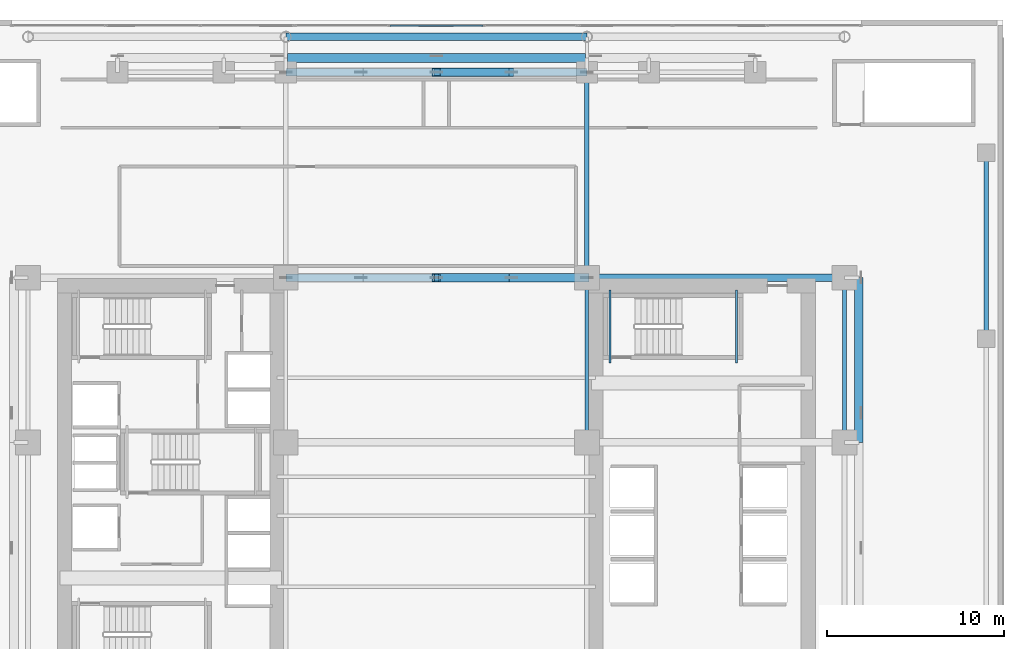
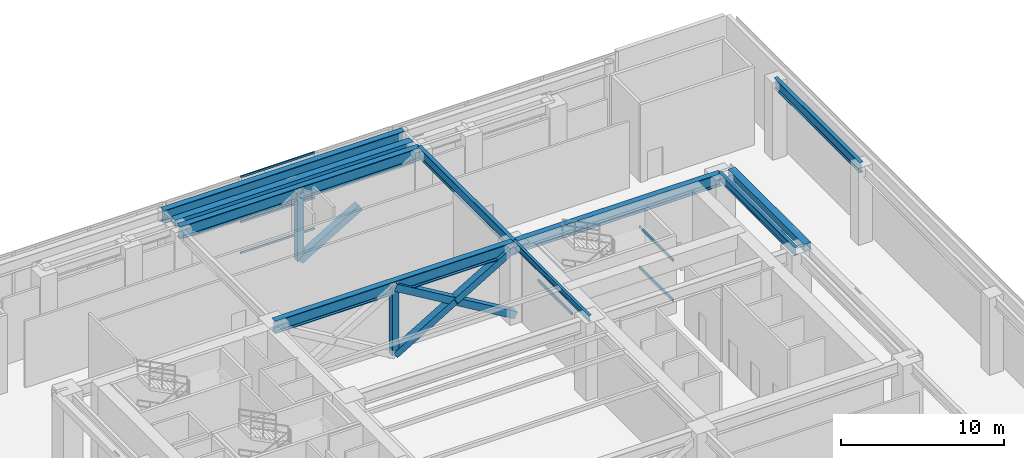
# One storey, part 14 of 29: 13 beams, 9 members, 1 element without a shape of its own.
"""IFC4 building model written with IfcOpenShell, lengths in metres."""

from ifc_helpers import new_model, si_unit, direction, frame, origin, origin_2d, place, context, subcontext, project, spatial, hollow_rectangle, i_section, extrude, source, transform, mapped, material, layer, layer_set, material_profile, profile_set, type_object, element, aggregate, save


model = new_model("IFC4")

# Units and contexts
model_context = context("Model", 3, precision=1e-05, world=origin(), true_north=direction((0.0, 1.0)))
body_context = subcontext(model_context, "Body", "Model", "MODEL_VIEW")
ifc_project = project(units=[si_unit("LENGTHUNIT", "METRE"), si_unit("AREAUNIT", "SQUARE_METRE"), si_unit("VOLUMEUNIT", "CUBIC_METRE"), si_unit("PLANEANGLEUNIT", "RADIAN"), si_unit("MASSUNIT", "GRAM", prefix="KILO")], contexts=[model_context])

# Site, building, storey
site_placement = place(None, origin())
site = spatial("IfcSite", under=ifc_project, at=site_placement, CompositionType="ELEMENT")
building_placement = place(site_placement, origin())
building = spatial("IfcBuilding", under=site, at=building_placement, Name="Ocotamira Hotel", CompositionType="ELEMENT")
storey_placement = place(building_placement, frame((0.0, 0.0, 28.800048828125)))
storey = spatial("IfcBuildingStorey", under=building, at=storey_placement, Name="L06", CompositionType="ELEMENT", Elevation=28.800048828125)

# Beams
ifc_material_1 = material(Name="Steel ASTM A500 Grade C", Category="steel")
ifc_material_profile_1 = material_profile(ifc_material_1, hollow_rectangle(XDim=0.10009765625, YDim=0.199951171875, WallThickness=0.008056640625, at=origin_2d()), Name="HSS200X100X8")
ifc_profile_set_1 = profile_set([ifc_material_profile_1], Name="Steel ASTM A500 Grade C")
beam_type_1 = type_object("IfcBeamType", Name="BM-STLDG-HSS200", PredefinedType="BEAM", material=ifc_profile_set_1)
shared_shape_1 = source(origin(), body_context, "Body", "SweptSolid", [
    extrude(hollow_rectangle(XDim=0.10009765625, YDim=0.199951171875, WallThickness=0.008056640625, at=origin_2d()), origin(), (0.0, 0.0, 1.0), 4.1201171875),
])
for number, where, z_axis, x_axis, name in (
    (1, (48.949951171875, 32.6298828125, 1.199951171875), (0.0, 1.0, 0.0), (-1.0, 0.0, 0.0), "L06 Stair ST-4 Landing Bearer 1"),
    (2, (41.81005859375, 32.6298828125, 2.699951171875), (0.0, 1.0, 0.0), (-1.0, 0.0, 0.0), "L06 Stair ST-4 Landing Bearer 2"),
    (3, (48.949951171875, 32.6298828125, 4.199951171875), (0.0, 1.0, 0.0), (-1.0, 0.0, 0.0), "L06 Stair ST-4 Landing Bearer 3"),
):
    element("IfcBeam", number, at=place(storey_placement, frame(where, z_axis=z_axis, x_axis=x_axis)), inside=storey, type_object=beam_type_1, Name=name, PredefinedType="BEAM", context=body_context, shape_type="MappedRepresentation", body=[
        mapped(shared_shape_1, transform((0.0, 0.0, 0.0), scale=1.0)),
    ])
ifc_material_2 = material(Name="Steel ASTM A992 Grade 50", Category="steel")
ifc_material_profile_2 = material_profile(ifc_material_2, i_section(OverallWidth=0.41796875, OverallDepth=0.927001953125, WebThickness=0.019287109375, FlangeThickness=0.031982421875, FilletRadius=0.02392578125, at=origin_2d()), Name="W36X231")
ifc_profile_set_2 = profile_set([ifc_material_profile_2], Name="Steel ASTM A992 Grade 50")
beam_type_2 = type_object("IfcBeamType", Name="BM-GIRD-W36X231", PredefinedType="BEAM", material=ifc_profile_set_2)
shared_shape_2 = source(origin(), body_context, "Body", "SweptSolid", [
    extrude(i_section(OverallWidth=0.41796875, OverallDepth=0.927001953125, WebThickness=0.019287109375, FlangeThickness=0.031982421875, FilletRadius=0.02392578125, at=origin_2d()), origin(), (0.0, 0.0, 1.0), 14.550048828125),
])
beam_1_placement = place(storey_placement, frame((40.5, 37.449951171875, 5.286376953125), z_axis=(1.0, 0.0, 0.0), x_axis=(0.0, 1.0, 0.0)))
element("IfcBeam", 4, at=beam_1_placement, inside=storey, type_object=beam_type_2, Name="L06 Girder Y37.45 X40.5-55.05", PredefinedType="BEAM", context=body_context, shape_type="MappedRepresentation", body=[
    mapped(shared_shape_2, transform((0.0, 0.0, 0.0), scale=1.0)),
])
ifc_material_profile_3 = material_profile(ifc_material_2, i_section(OverallWidth=0.26611328125, OverallDepth=0.779052734375, WebThickness=0.0166015625, FlangeThickness=0.030029296875, FilletRadius=0.01806640625, at=origin_2d()), Name="W30X148")
ifc_profile_set_3 = profile_set([ifc_material_profile_3], Name="Steel ASTM A992 Grade 50")
beam_type_3 = type_object("IfcBeamType", Name="BM-GIRD-W30X148", PredefinedType="BEAM", material=ifc_profile_set_3)
shared_shape_3 = source(origin(), body_context, "Body", "SweptSolid", [
    extrude(i_section(OverallWidth=0.26611328125, OverallDepth=0.779052734375, WebThickness=0.0166015625, FlangeThickness=0.030029296875, FilletRadius=0.01806640625, at=origin_2d()), origin(), (0.0, 0.0, 1.0), 10.5),
])
beam_2_placement = place(storey_placement, frame((63.050048828125, 34.0, 5.3603515625), z_axis=(0.0, 1.0, 0.0), x_axis=(-1.0, 0.0, 0.0)))
element("IfcBeam", 5, at=beam_2_placement, inside=storey, type_object=beam_type_3, Name="L06 Beam X63.05 Y34-44.5", PredefinedType="BEAM", context=body_context, shape_type="MappedRepresentation", body=[
    mapped(shared_shape_3, transform((0.0, 0.0, 0.0), scale=1.0)),
])
ifc_material_profile_4 = material_profile(ifc_material_2, i_section(OverallWidth=0.22998046875, OverallDepth=0.616943359375, WebThickness=0.01318359375, FlangeThickness=0.022216796875, FilletRadius=0.012939453125, at=origin_2d()), Name="W24X94")
ifc_profile_set_4 = profile_set([ifc_material_profile_4], Name="Steel ASTM A992 Grade 50")
beam_type_4 = type_object("IfcBeamType", Name="BM-PRIM-W24X94", PredefinedType="BEAM", material=ifc_profile_set_4)
shared_shape_4 = source(origin(), body_context, "Body", "SweptSolid", [
    extrude(i_section(OverallWidth=0.22998046875, OverallDepth=0.616943359375, WebThickness=0.01318359375, FlangeThickness=0.022216796875, FilletRadius=0.012939453125, at=origin_2d()), origin(), (0.0, 0.0, 1.0), 9.300048828125),
])
beam_3_placement = place(storey_placement, frame((55.050048828125, 28.14990234375, 5.44140625), z_axis=(0.0, 1.0, 0.0), x_axis=(-1.0, 0.0, 0.0)))
element("IfcBeam", 6, at=beam_3_placement, inside=storey, type_object=beam_type_4, Name="L06 Beam X55.05 Y28.15-37.45", PredefinedType="BEAM", context=body_context, shape_type="MappedRepresentation", body=[
    mapped(shared_shape_4, transform((0.0, 0.0, 0.0), scale=1.0)),
])
shared_shape_5 = source(origin(), body_context, "Body", "SweptSolid", [
    extrude(i_section(OverallWidth=0.26611328125, OverallDepth=0.779052734375, WebThickness=0.0166015625, FlangeThickness=0.030029296875, FilletRadius=0.01806640625, at=origin_2d()), origin(), (0.0, 0.0, 1.0), 11.60009765625),
])
beam_4_placement = place(storey_placement, frame((40.5, 37.449951171875, 5.3603515625), z_axis=(0.0, 1.0, 0.0), x_axis=(-1.0, 0.0, 0.0)))
element("IfcBeam", 7, at=beam_4_placement, inside=storey, type_object=beam_type_3, Name="L06 Beam X40.5 Y37.45-49.05", PredefinedType="BEAM", context=body_context, shape_type="MappedRepresentation", body=[
    mapped(shared_shape_5, transform((0.0, 0.0, 0.0), scale=1.0)),
])
ifc_material_profile_5 = material_profile(ifc_material_2, i_section(OverallWidth=0.18994140625, OverallDepth=0.45703125, WebThickness=0.009033203125, FlangeThickness=0.014404296875, FilletRadius=0.010009765625, at=origin_2d()), Name="W18X50")
ifc_profile_set_5 = profile_set([ifc_material_profile_5], Name="Steel ASTM A992 Grade 50")
beam_type_5 = type_object("IfcBeamType", Name="BM-SEC-W18X50", PredefinedType="JOIST", material=ifc_profile_set_5)
shared_shape_6 = source(origin(), body_context, "Body", "SweptSolid", [
    extrude(i_section(OverallWidth=0.18994140625, OverallDepth=0.45703125, WebThickness=0.009033203125, FlangeThickness=0.014404296875, FilletRadius=0.010009765625, at=origin_2d()), origin(), (0.0, 0.0, 1.0), 9.300048828125),
])
beam_5_placement = place(storey_placement, frame((40.5, 28.14990234375, 5.521484375), z_axis=(0.0, 1.0, 0.0), x_axis=(-1.0, 0.0, 0.0)))
element("IfcBeam", 8, at=beam_5_placement, inside=storey, type_object=beam_type_5, Name="L06 Beam X40.5 Y28.15-37.45", PredefinedType="JOIST", context=body_context, shape_type="MappedRepresentation", body=[
    mapped(shared_shape_6, transform((0.0, 0.0, 0.0), scale=1.0)),
])
ifc_material_3 = material(Name="Steel ASTM A913 Grade 65", Category="steel")
ifc_material_profile_6 = material_profile(ifc_material_3, i_section(OverallWidth=0.423095703125, OverallDepth=0.947998046875, WebThickness=0.02392578125, FlangeThickness=0.042724609375, FilletRadius=0.02392578125, at=origin_2d()), Name="W36X302")
ifc_profile_set_6 = profile_set([ifc_material_profile_6], Name="Steel ASTM A913 Grade 65")
beam_type_6 = type_object("IfcBeamType", Name="BM-TRUSS-W36X302", PredefinedType="BEAM", material=ifc_profile_set_6)
shared_shape_7 = source(origin(), body_context, "Body", "SweptSolid", [
    extrude(i_section(OverallWidth=0.423095703125, OverallDepth=0.947998046875, WebThickness=0.02392578125, FlangeThickness=0.042724609375, FilletRadius=0.02392578125, at=origin_2d()), origin(), (0.0, 0.0, 1.0), 17.0),
])
for number, where, z_axis, x_axis, name in (
    (9, (23.5, 37.449951171875, 5.27587890625), (1.0, 0.0, 0.0), (0.0, 1.0, 0.0), "L06 Girder Y37.45 X23.5-40.5"),
    (10, (23.5, 49.050048828125, 5.27587890625), (1.0, 0.0, 0.0), (0.0, 1.0, 0.0), "L06 Girder Y49.05 X23.5-40.5"),
    (11, (23.5, 51.050048828125, 5.27587890625), (1.0, 0.0, 0.0), (0.0, 1.0, 0.0), "L06 Girder Y51.05 X23.5-40.5"),
):
    element("IfcBeam", number, at=place(storey_placement, frame(where, z_axis=z_axis, x_axis=x_axis)), inside=storey, type_object=beam_type_6, Name=name, PredefinedType="BEAM", context=body_context, shape_type="MappedRepresentation", body=[
        mapped(shared_shape_7, transform((0.0, 0.0, 0.0), scale=1.0)),
    ])
ifc_material_profile_7 = material_profile(ifc_material_1, hollow_rectangle(XDim=0.5, YDim=0.5, WallThickness=0.02001953125, at=origin_2d()), Name="HSS500X500X20")
ifc_profile_set_7 = profile_set([ifc_material_profile_7], Name="Steel ASTM A500 Grade C")
beam_type_7 = type_object("IfcBeamType", Name="BM-SPAN-HSS500", PredefinedType="USERDEFINED", material=ifc_profile_set_7)
shared_shape_8 = source(origin(), body_context, "Body", "SweptSolid", [
    extrude(hollow_rectangle(XDim=0.5, YDim=0.5, WallThickness=0.02001953125, at=origin_2d()), origin(), (0.0, 0.0, 1.0), 16.82177734375),
])
beam_6_placement = place(storey_placement, frame((23.589111328125, 49.85009765625, 5.5), z_axis=(1.0, 0.0, 0.0), x_axis=(0.0, 1.0, 0.0)))
element("IfcBeam", 12, at=beam_6_placement, inside=storey, type_object=beam_type_7, Name="L06 Edge Spandrel N X23.589-40.411", ObjectType="SPANDREL", PredefinedType="USERDEFINED", context=body_context, shape_type="MappedRepresentation", body=[
    mapped(shared_shape_8, transform((0.0, 0.0, 0.0), scale=1.0)),
])
shared_shape_9 = source(origin(), body_context, "Body", "SweptSolid", [
    extrude(hollow_rectangle(XDim=0.5, YDim=0.5, WallThickness=0.02001953125, at=origin_2d()), origin(), (0.0, 0.0, 1.0), 9.300048828125),
])
beam_7_placement = place(storey_placement, frame((55.85009765625, 28.14990234375, 5.5), z_axis=(0.0, 1.0, 0.0), x_axis=(-1.0, 0.0, 0.0)))
element("IfcBeam", 13, at=beam_7_placement, inside=storey, type_object=beam_type_7, Name="L06 Edge Spandrel E Y28.15-37.45", ObjectType="SPANDREL", PredefinedType="USERDEFINED", context=body_context, shape_type="MappedRepresentation", body=[
    mapped(shared_shape_9, transform((0.0, 0.0, 0.0), scale=1.0)),
])

# Members
ifc_material_profile_8 = material_profile(ifc_material_3, hollow_rectangle(XDim=0.449951171875, YDim=0.449951171875, WallThickness=0.01611328125, at=origin_2d()), Name="HSS450X450X16")
ifc_profile_set_8 = profile_set([ifc_material_profile_8], Name="Steel ASTM A913 Grade 65")
member_type_1 = type_object("IfcMemberType", Name="MEM-POST-HSS450", PredefinedType="POST", material=ifc_profile_set_8)
shared_shape_10 = source(origin(), body_context, "Body", "SweptSolid", [
    extrude(hollow_rectangle(XDim=0.449951171875, YDim=0.449951171875, WallThickness=0.01611328125, at=origin_2d()), origin(), (0.0, 0.0, 1.0), 5.050048828125),
])
for number, where, z_axis, x_axis, name in (
    (14, (32.0, 37.449951171875, 0.25), (0.0, 0.0, 1.0), (1.0, 0.0, 0.0), "L06 Portal Transfer Truss Post Y37.45"),
    (15, (32.0, 49.050048828125, 0.25), (0.0, 0.0, 1.0), (1.0, 0.0, 0.0), "L06 Portal Transfer Truss Post Y49.05"),
):
    element("IfcMember", number, at=place(storey_placement, frame(where, z_axis=z_axis, x_axis=x_axis)), inside=storey, type_object=member_type_1, Name=name, PredefinedType="POST", context=body_context, shape_type="MappedRepresentation", body=[
        mapped(shared_shape_10, transform((0.0, 0.0, 0.0), scale=1.0)),
    ])
ifc_material_profile_9 = material_profile(ifc_material_3, hollow_rectangle(XDim=0.5, YDim=0.5, WallThickness=0.02001953125, at=origin_2d()), Name="HSS500X500X20")
ifc_profile_set_9 = profile_set([ifc_material_profile_9], Name="Steel ASTM A913 Grade 65")
member_type_2 = type_object("IfcMemberType", Name="MEM-OUT-HSS500", PredefinedType="BRACE", material=ifc_profile_set_9)
shared_shape_11 = source(origin(), body_context, "Body", "SweptSolid", [
    extrude(hollow_rectangle(XDim=0.5, YDim=0.5, WallThickness=0.02001953125, at=origin_2d()), origin(), (0.0, 0.0, 1.0), 9.886962890625),
])
member_1_placement = place(storey_placement, frame((32.0, 37.449951171875, 5.300048828125), z_axis=(0.859713791233, 0.0, -0.510776073405), x_axis=(0.0, 1.0, 0.0)))
element("IfcMember", 16, at=member_1_placement, inside=storey, type_object=member_type_2, Name="L06 Portal Transfer Truss Diagonal Y37.45-2", PredefinedType="BRACE", context=body_context, shape_type="MappedRepresentation", body=[
    mapped(shared_shape_11, transform((0.0, 0.0, 0.0), scale=1.0)),
])
shared_shape_12 = source(origin(), body_context, "Body", "SweptSolid", [
    extrude(hollow_rectangle(XDim=0.5, YDim=0.5, WallThickness=0.02001953125, at=origin_2d()), origin(), (0.0, 0.0, 1.0), 4.923583984375),
])
for number, where, z_axis, x_axis, name in (
    (17, (32.0, 37.449951171875, 0.25), (0.859733635103, 0.0, 0.510742671678), (0.0, 1.0, 0.0), "L06 Portal Transfer Truss Diagonal Y37.45-4 Lower Half"),
    (18, (36.26708984375, 37.449951171875, 2.78515625), (0.859711861236, 0.0, 0.51077932187), (0.0, 1.0, 0.0), "L06 Portal Transfer Truss Diagonal Y37.45-4 Upper Half"),
    (19, (32.0, 49.050048828125, 0.25), (0.859733635103, 0.0, 0.510742671678), (0.0, 1.0, 0.0), "L06 Portal Transfer Truss Diagonal Y49.05-4 Lower Half"),
):
    element("IfcMember", number, at=place(storey_placement, frame(where, z_axis=z_axis, x_axis=x_axis)), inside=storey, type_object=member_type_2, Name=name, PredefinedType="BRACE", context=body_context, shape_type="MappedRepresentation", body=[
        mapped(shared_shape_12, transform((0.0, 0.0, 0.0), scale=1.0)),
    ])

# Curtain wall, members
ifc_material_4 = material(Name="Anodised pale-metal aluminium and solar glass", Category="aluminium")
ifc_layer = layer(ifc_material_4, 0.239990234375)
ifc_layer_set = layer_set([ifc_layer], Name="Anodised pale-metal aluminium and solar glass")
curtain_wall_type = type_object("IfcCurtainWallType", Name="CW-SYS5-SKY", PredefinedType="NOTDEFINED", material=ifc_layer_set)
curtain_wall_placement = place(storey_placement, origin())
curtain_wall = element("IfcCurtainWall", 20, at=curtain_wall_placement, inside=storey, type_object=curtain_wall_type, Name="L06 Curtain Wall CW-5 CW-L06-N2", PredefinedType="NOTDEFINED")
ifc_material_5 = material(Name="Anodised pale-metal aluminium 6063-T6", Category="aluminium")
ifc_material_profile_10 = material_profile(ifc_material_5, hollow_rectangle(XDim=0.074951171875, YDim=0.14990234375, WallThickness=0.006103515625, at=origin_2d()), Name="HSS150X75X6")
ifc_profile_set_10 = profile_set([ifc_material_profile_10], Name="Anodised pale-metal aluminium 6063-T6")
member_type_3 = type_object("IfcMemberType", Name="CWT-150X75", PredefinedType="USERDEFINED", material=ifc_profile_set_10)
shared_shape_13 = source(origin(), body_context, "Body", "SweptSolid", [
    extrude(hollow_rectangle(XDim=0.074951171875, YDim=0.14990234375, WallThickness=0.006103515625, at=origin_2d()), origin(), (0.0, 0.0, 1.0), 5.25341796875),
])
member_2_placement = place(storey_placement, frame((29.373291015625, 51.679931640625, 0.037353515625), z_axis=(1.0, 0.0, 0.0), x_axis=(0.0, 1.0, 0.0)))
member_2 = element("IfcMember", 21, at=member_2_placement, type_object=member_type_3, Name="CW-5 transom 2.1", ObjectType="TRANSOM", PredefinedType="USERDEFINED", context=body_context, shape_type="MappedRepresentation", body=[
    mapped(shared_shape_13, transform((0.0, 0.0, 0.0), scale=1.0)),
])
member_3_placement = place(storey_placement, frame((29.373291015625, 51.679931640625, 2.349853515625), z_axis=(1.0, 0.0, 0.0), x_axis=(0.0, 1.0, 0.0)))
member_3 = element("IfcMember", 22, at=member_3_placement, type_object=member_type_3, Name="CW-5 transom 2.2", ObjectType="TRANSOM", PredefinedType="USERDEFINED", context=body_context, shape_type="MappedRepresentation", body=[
    mapped(shared_shape_13, transform((0.0, 0.0, 0.0), scale=1.0)),
])
member_4_placement = place(storey_placement, frame((29.373291015625, 51.679931640625, 5.71240234375), z_axis=(1.0, 0.0, 0.0), x_axis=(0.0, 1.0, 0.0)))
member_4 = element("IfcMember", 23, at=member_4_placement, type_object=member_type_3, Name="CW-5 transom 2.3", ObjectType="TRANSOM", PredefinedType="USERDEFINED", context=body_context, shape_type="MappedRepresentation", body=[
    mapped(shared_shape_13, transform((0.0, 0.0, 0.0), scale=1.0)),
])
aggregate(curtain_wall, [member_2, member_3, member_4])

save(model, "model.ifc")
